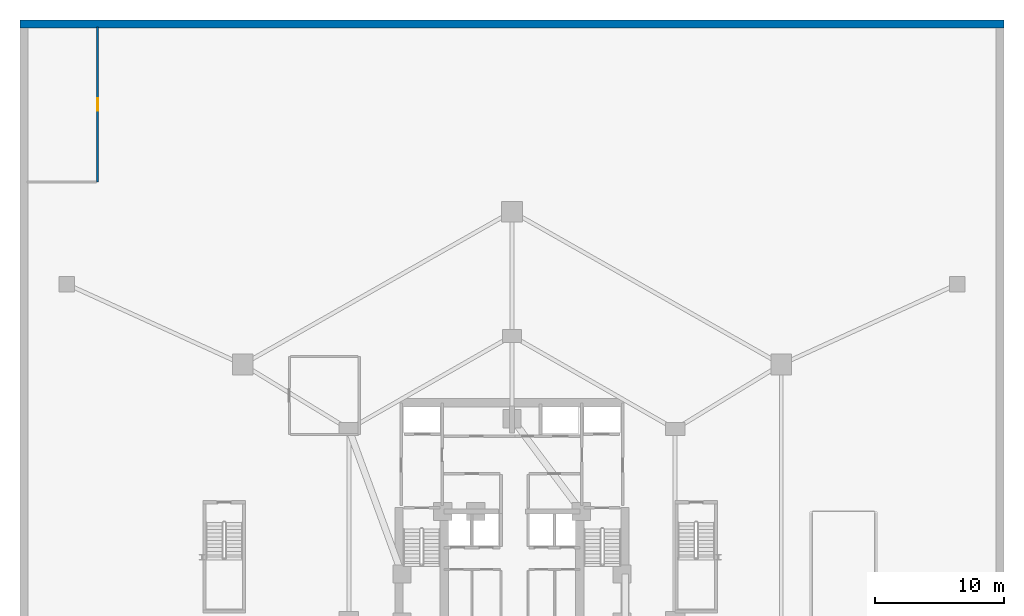
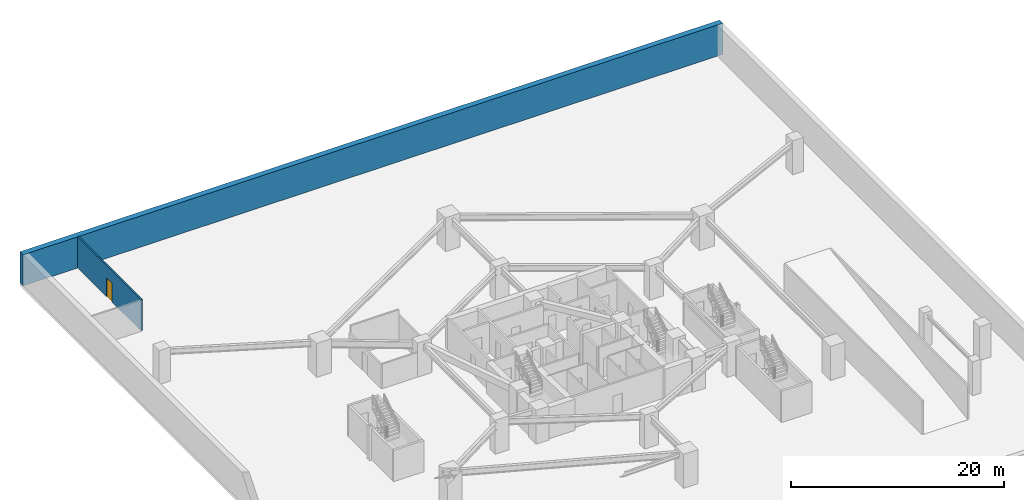
# One storey, part 9 of 12: 2 walls, 1 door, 1 opening.
"""IFC4 building model written with IfcOpenShell, lengths in metres."""

from ifc_helpers import new_model, si_unit, direction, frame, frame_2d, origin, place, context, subcontext, project, spatial, rectangle, extrude, material, layer, layer_set, type_object, element, fill, save


model = new_model("IFC4")

# Units and contexts
model_context = context("Model", 3, precision=1e-05, world=origin(), true_north=direction((0.0, 1.0)))
body_context = subcontext(model_context, "Body", "Model", "MODEL_VIEW")
ifc_project = project(units=[si_unit("LENGTHUNIT", "METRE"), si_unit("AREAUNIT", "SQUARE_METRE"), si_unit("VOLUMEUNIT", "CUBIC_METRE"), si_unit("PLANEANGLEUNIT", "RADIAN"), si_unit("MASSUNIT", "GRAM", prefix="KILO")], contexts=[model_context])

# Site, building, storey
site_placement = place(None, origin())
site = spatial("IfcSite", under=ifc_project, at=site_placement, CompositionType="ELEMENT")
building_placement = place(site_placement, origin())
building = spatial("IfcBuilding", under=site, at=building_placement, Name="Miruveldt Soraemaru", CompositionType="ELEMENT")
storey_placement = place(building_placement, frame((0.0, 0.0, -7.800048828125)))
storey = spatial("IfcBuildingStorey", under=building, at=storey_placement, Name="B2", CompositionType="ELEMENT", Elevation=-7.800048828125)

# Wall, opening, door
ifc_material_1 = material(Name="Concrete C40/50 (40 MPa)", Category="concrete")
ifc_layer_1 = layer(ifc_material_1, 0.159912109375, Name="Concrete C40/50 (40 MPa)", Category="concrete")
ifc_layer_set_1 = layer_set([ifc_layer_1], Name="Concrete C40/50 (40 MPa)")
wall_type_1 = type_object("IfcWallType", Name="WALL-INT-RC160", PredefinedType="SOLIDWALL", material=ifc_layer_set_1)
wall_1_placement = place(storey_placement, frame((12.0, 81.449951171875, 0.0), z_axis=(0.0, 0.0, 1.0), x_axis=(0.0, -1.0, 0.0)))
wall_1 = element("IfcWall", 1, at=wall_1_placement, inside=storey, type_object=wall_type_1, Name="B2 Partition Wall 1", PredefinedType="SOLIDWALL", context=body_context, shape_type="SweptSolid", body=[
    extrude(rectangle(XDim=11.949951171875, YDim=0.159912109375, at=frame_2d((5.97509765625, 0.0))), origin(), (0.0, 0.0, 1.0), 3.580078125),
])
opening_placement = place(wall_1_placement, frame((5.47509765625, 0.0, 0.0)))
opening = element("IfcOpeningElement", 2, at=opening_placement, cuts=wall_1, Name="Opening FD1", PredefinedType="OPENING", context=body_context, shape_type="SweptSolid", body=[
    extrude(rectangle(XDim=1.0, YDim=2.14990234375, at=frame_2d((0.5, 1.074951171875))), frame((0.0, 0.08984375, 0.0), z_axis=(0.0, -1.0, 0.0), x_axis=(1.0, 0.0, 0.0)), (0.0, 0.0, 1.0), 0.179931640625),
])
ifc_material_2 = material(Name="Anodised aluminium EN AW-6063 T6", Category="aluminium")
door_type = type_object("IfcDoorType", Name="DOOR-FD1-1000", OperationType="NOTDEFINED", PredefinedType="DOOR", material=ifc_material_2)
door_placement = place(opening_placement, origin())
door = element("IfcDoor", 3, at=door_placement, inside=storey, type_object=door_type, Name="B2 EV Charger Switchgear Room Fire Door", OperationType="SINGLE_SWING_RIGHT", OverallHeight=2.14990234375, OverallWidth=1.0, PredefinedType="DOOR", context=body_context, shape_type="SweptSolid", body=[
    extrude(rectangle(XDim=1.0, YDim=2.14990234375, at=frame_2d((0.5, 1.074951171875))), frame((0.0, 0.02490234375, 0.0), z_axis=(0.0, -1.0, 0.0), x_axis=(1.0, 0.0, 0.0)), (0.0, 0.0, 1.0), 0.050048828125),
])
fill(opening, door)

# Wall
ifc_material_3 = material(Name="Concrete C50/60 (50 MPa)", Category="concrete")
ifc_layer_2 = layer(ifc_material_3, 0.60009765625, Name="Concrete C50/60 (50 MPa)", Category="concrete")
ifc_layer_set_2 = layer_set([ifc_layer_2], Name="Concrete C50/60 (50 MPa)")
wall_type_2 = type_object("IfcWallType", Name="WALL-RET-600", PredefinedType="SOLIDWALL", material=ifc_layer_set_2)
wall_2_placement = place(storey_placement, frame((82.0, 81.699951171875, 0.0), z_axis=(0.0, 0.0, 1.0), x_axis=(-1.0, 0.0, 0.0)))
element("IfcWall", 4, at=wall_2_placement, inside=storey, type_object=wall_type_2, Name="B2 Perimeter Slurry Retaining Wall N", PredefinedType="SOLIDWALL", context=body_context, shape_type="SweptSolid", body=[
    extrude(rectangle(XDim=76.0, YDim=0.60009765625, at=frame_2d((38.0, 0.0))), origin(), (0.0, 0.0, 1.0), 3.580078125),
])

save(model, "model.ifc")
